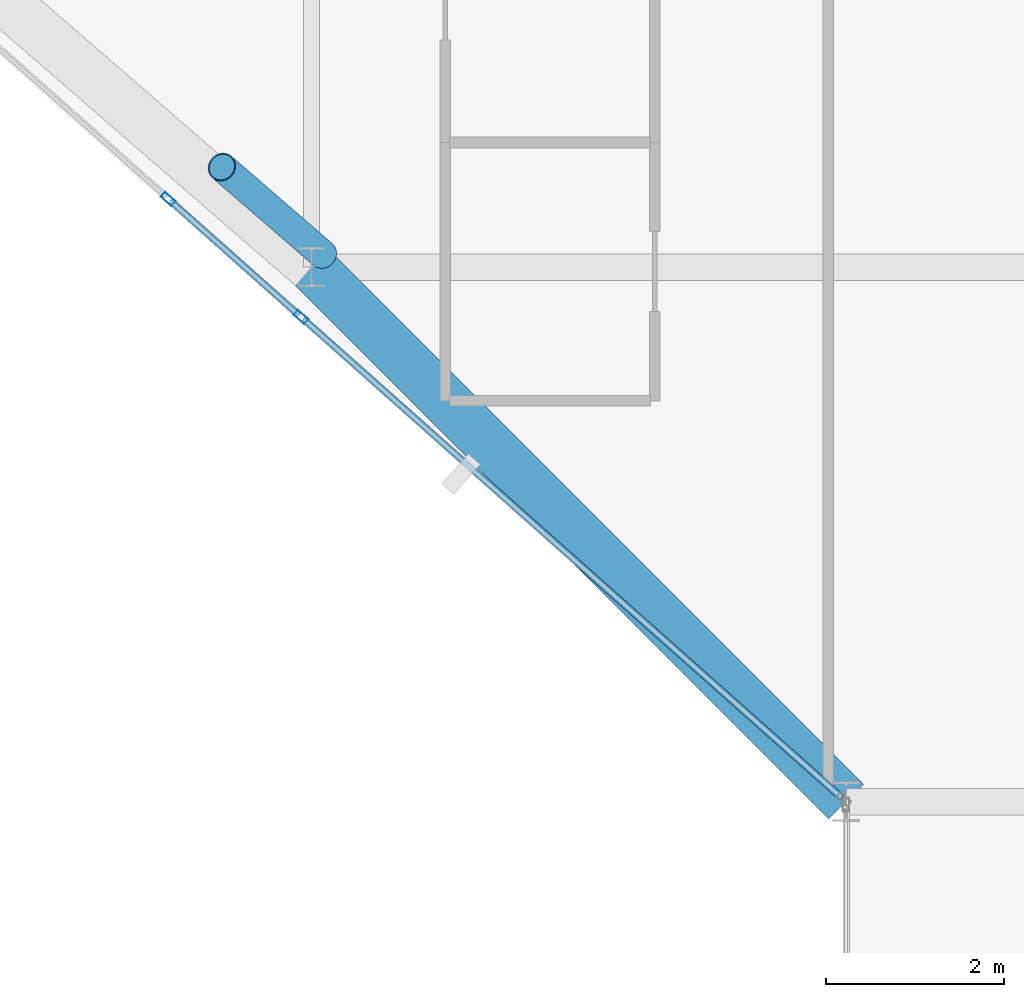
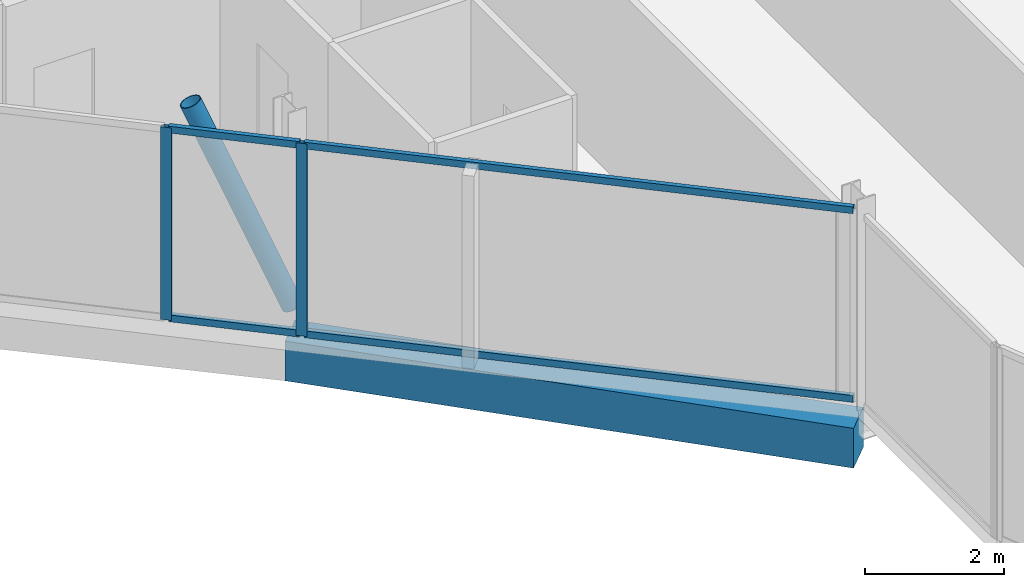
# One storey, part 4 of 29: 7 members, 1 beam, 2 elements without a shape of their own.
"""IFC4 building model written with IfcOpenShell, lengths in metres."""

import ifcopenshell
import ifcopenshell.guid

model = None  # the IFC model being written
_history = None  # IfcOwnerHistory: only IFC2X3 demands one
_inside = {}  # id of a spatial element -> (the spatial element, [elements in it])
_under = {}  # id of a project, library or spatial element -> (it, [spatial elements below it])
_declared = {}  # id of a project -> (the project, [libraries it declares])
_typed = {}  # id of a type object -> (the type object, [elements of that type])
_made_of = {}  # id of a material, layer set ... -> (it, [elements and type objects made of it])


def new_model(schema):
    """Start an empty IFC model of exactly this schema.

    Asked for "IFC4X3", IfcOpenShell would pick the latest addendum, in which some entities
    have other attributes; the version numbers below select the first issue.
    IFC2X3 requires an IfcOwnerHistory on every rooted entity: one is made here for all.
    """
    global model, _history
    if schema == "IFC4X3":
        model = ifcopenshell.file(schema_version=(4, 3, 0, 0))
    else:
        model = ifcopenshell.file(schema=schema)
    _inside.clear()
    _under.clear()
    _declared.clear()
    _typed.clear()
    _made_of.clear()
    _history = None
    if model.schema == "IFC2X3":
        org = make("IfcOrganization", Name="unknown")
        user = make(
            "IfcPersonAndOrganization",
            ThePerson=make("IfcPerson", FamilyName="unknown"),
            TheOrganization=org,
        )
        app = make(
            "IfcApplication",
            ApplicationDeveloper=org,
            Version="unknown",
            ApplicationFullName="unknown",
            ApplicationIdentifier="unknown",
        )
        _history = make(
            "IfcOwnerHistory",
            OwningUser=user,
            OwningApplication=app,
            ChangeAction="ADDED",
            CreationDate=0,
        )
    return model


def make(cls, **values):
    """One entity of the class cls with the attributes given. An attribute that is None is left unset."""
    return model.create_entity(
        cls, **{name: value for name, value in values.items() if value is not None}
    )


def rooted(cls, **values):
    """An entity with a GlobalId (a new one), such as an element, a storey or a relation."""
    return make(cls, GlobalId=ifcopenshell.guid.new(), OwnerHistory=_history, **values)


def si_unit(unit_type, name, prefix=None):
    """IfcSIUnit, for example si_unit("LENGTHUNIT", "METRE", prefix="MILLI")."""
    return make("IfcSIUnit", UnitType=unit_type, Prefix=prefix, Name=name)


def assignment(units):
    """IfcUnitAssignment: the units of a project."""
    return None if units is None else make("IfcUnitAssignment", Units=units)


def point(xyz):
    """IfcCartesianPoint."""
    return None if xyz is None else make("IfcCartesianPoint", Coordinates=xyz)


def direction(xyz):
    """IfcDirection."""
    return None if xyz is None else make("IfcDirection", DirectionRatios=xyz)


def frame(location, z_axis=None, x_axis=None):
    """IfcAxis2Placement3D, a coordinate frame: its origin and axes. An axis left out is left unset."""
    return make(
        "IfcAxis2Placement3D",
        Location=point(location),
        Axis=direction(z_axis),
        RefDirection=direction(x_axis),
    )


def frame_2d(location, x_axis=None):
    """IfcAxis2Placement2D, a coordinate frame in the plane: its origin and x axis."""
    return make(
        "IfcAxis2Placement2D", Location=point(location), RefDirection=direction(x_axis)
    )


def origin():
    """The frame at (0, 0, 0) with its axes left unset."""
    return frame((0.0, 0.0, 0.0))


def origin_2d():
    """The frame at (0, 0) in the plane with its x axis left unset."""
    return frame_2d((0.0, 0.0))


def place(relative_to, where):
    """IfcLocalPlacement: puts the frame where relative to a parent placement (None: the world)."""
    return make(
        "IfcLocalPlacement", PlacementRelTo=relative_to, RelativePlacement=where
    )


def context(
    kind, dimensions, precision=None, world=None, true_north=None, identifier=None
):
    """IfcGeometricRepresentationContext, for example the 3D "Model" context."""
    return make(
        "IfcGeometricRepresentationContext",
        ContextIdentifier=identifier,
        ContextType=kind,
        CoordinateSpaceDimension=dimensions,
        Precision=precision,
        WorldCoordinateSystem=world,
        TrueNorth=true_north,
    )


def subcontext(parent, identifier, kind, view, scale=None):
    """IfcGeometricRepresentationSubContext, for example "Body" below "Model"."""
    return make(
        "IfcGeometricRepresentationSubContext",
        ContextIdentifier=identifier,
        ContextType=kind,
        ParentContext=parent,
        TargetScale=scale,
        TargetView=view,
    )


def project(units=None, contexts=None):
    """IfcProject with its units and contexts."""
    return rooted(
        "IfcProject",
        Name="project",
        RepresentationContexts=contexts,
        UnitsInContext=assignment(units),
    )


def spatial(cls, under=None, at=None, **own):
    """A site, building, storey or space (cls), placed at a placement, below another one or the project."""
    s = rooted(cls, ObjectPlacement=at, **own)
    if under is not None:
        _under.setdefault(under.id(), (under, []))[1].append(s)
    return s


def profile(cls, at=None, kind="AREA", **sizes):
    """A parametric profile (cls). Its sizes go by their IFC names, for example OverallWidth=200.0."""
    return make(cls, ProfileType=kind, Position=at, **sizes)


def rectangle(**sizes):
    """IfcRectangleProfileDef."""
    return profile("IfcRectangleProfileDef", **sizes)


def hollow_rectangle(**sizes):
    """IfcRectangleHollowProfileDef."""
    return profile("IfcRectangleHollowProfileDef", **sizes)


def hollow_circle(**sizes):
    """IfcCircleHollowProfileDef."""
    return profile("IfcCircleHollowProfileDef", **sizes)


def extrude(swept, where, along, depth):
    """IfcExtrudedAreaSolid: the profile swept, set in the frame where, extruded along a direction by depth."""
    return make(
        "IfcExtrudedAreaSolid",
        SweptArea=swept,
        Position=where,
        ExtrudedDirection=direction(along),
        Depth=depth,
    )


def shape(context_of_items, identifier, shape_type, items):
    """IfcShapeRepresentation: the items that make up one representation, for example the "Body"."""
    return make(
        "IfcShapeRepresentation",
        ContextOfItems=context_of_items,
        RepresentationIdentifier=identifier,
        RepresentationType=shape_type,
        Items=items,
    )


def material(Name=None, Category=None):
    """IfcMaterial."""
    return make("IfcMaterial", Name=Name, Category=Category)


def layer(
    of_material, thickness, ventilated=None, Name=None, Category=None, Priority=None
):
    """IfcMaterialLayer: one layer of a wall or slab, of a material (None: an air gap)."""
    return make(
        "IfcMaterialLayer",
        Material=of_material,
        LayerThickness=thickness,
        IsVentilated=ventilated,
        Name=Name,
        Category=Category,
        Priority=Priority,
    )


def layer_set(layers, Name=None):
    """IfcMaterialLayerSet."""
    return make("IfcMaterialLayerSet", MaterialLayers=layers, LayerSetName=Name)


def material_profile(
    of_material, cross_section, Name=None, Category=None, Priority=None
):
    """IfcMaterialProfile: a cross section and its material."""
    return make(
        "IfcMaterialProfile",
        Name=Name,
        Material=of_material,
        Profile=cross_section,
        Priority=Priority,
        Category=Category,
    )


def profile_set(profiles, Name=None, composite=None):
    """IfcMaterialProfileSet."""
    return make(
        "IfcMaterialProfileSet",
        Name=Name,
        MaterialProfiles=profiles,
        CompositeProfile=composite,
    )


def made_of(thing, what):
    """Note that an element or type object is made of a material, layer set ...; save() writes the relation."""
    if what is not None:
        _made_of.setdefault(what.id(), (what, []))[1].append(thing)
    return thing


def type_object(cls, material=None, **own):
    """A type object (cls), such as IfcWallType, which elements share."""
    return made_of(rooted(cls, **own), material)


def element(
    cls,
    number,
    at=None,
    inside=None,
    cuts=None,
    type_object=None,
    material=None,
    context=None,
    identifier="Body",
    shape_type=None,
    held_by="IfcProductDefinitionShape",
    body=None,
    shapes=None,
    **own,
):
    """One element of the class cls, such as IfcWall. Its Tag is "e" and its number.

    at: its placement. inside: the storey or other place that contains it. cuts: it is an
    opening in that element (IfcRelVoidsElement). A single representation is given by context,
    identifier, shape_type and body (its items); several are given by shapes. held_by: the class
    of the entity that holds the representations. save() writes the other relations.
    """
    e = rooted(cls, Tag="e%d" % number, ObjectPlacement=at, **own)
    if body is not None:
        shapes = [shape(context, identifier, shape_type, body)]
    if shapes is not None:
        e.Representation = make(held_by, Representations=shapes)
    if inside is not None:
        _inside.setdefault(inside.id(), (inside, []))[1].append(e)
    if cuts is not None:
        rooted(
            "IfcRelVoidsElement", RelatingBuildingElement=cuts, RelatedOpeningElement=e
        )
    if type_object is not None:
        _typed.setdefault(type_object.id(), (type_object, []))[1].append(e)
    return made_of(e, material)


def aggregate(whole, parts):
    """IfcRelAggregates: a whole, such as a stair, and the parts it consists of."""
    return rooted("IfcRelAggregates", RelatingObject=whole, RelatedObjects=parts)


def save(model, path):
    """Write the relations noted so far, then the file.

    IfcRelAggregates (storeys below a building ...), IfcRelContainedInSpatialStructure (elements
    in a storey), IfcRelDefinesByType, IfcRelAssociatesMaterial and IfcRelDeclares: one each for
    every whole, place, type object, material and project.
    """
    for whole, parts in _under.values():
        aggregate(whole, parts)
    for where, things in _inside.values():
        rooted(
            "IfcRelContainedInSpatialStructure",
            RelatedElements=things,
            RelatingStructure=where,
        )
    for kind, things in _typed.values():
        rooted("IfcRelDefinesByType", RelatedObjects=things, RelatingType=kind)
    for what, things in _made_of.values():
        rooted("IfcRelAssociatesMaterial", RelatedObjects=things, RelatingMaterial=what)
    for by, libraries in _declared.values():
        rooted("IfcRelDeclares", RelatingContext=by, RelatedDefinitions=libraries)
    model.write(path)


model = new_model("IFC4")

# Units and contexts
model_context = context("Model", 3, precision=1e-05, world=origin(), true_north=direction((0.0, 1.0)))
body_context = subcontext(model_context, "Body", "Model", "MODEL_VIEW")
ifc_project = project(units=[si_unit("LENGTHUNIT", "METRE"), si_unit("AREAUNIT", "SQUARE_METRE"), si_unit("VOLUMEUNIT", "CUBIC_METRE"), si_unit("PLANEANGLEUNIT", "RADIAN"), si_unit("MASSUNIT", "GRAM", prefix="KILO")], contexts=[model_context])

# Site, building, storey
site_placement = place(None, origin())
site = spatial("IfcSite", under=ifc_project, at=site_placement, CompositionType="ELEMENT")
building_placement = place(site_placement, origin())
building = spatial("IfcBuilding", under=site, at=building_placement, Name="Keshet Zoharim Tower", CompositionType="ELEMENT")
storey_placement = place(building_placement, frame((0.0, 0.0, 210.60009765625)))
storey = spatial("IfcBuildingStorey", under=building, at=storey_placement, Name="L52", CompositionType="ELEMENT", Elevation=210.60009765625)

# Beam
ifc_material_1 = material(Name="Concrete C50/60", Category="concrete")
ifc_material_profile_1 = material_profile(ifc_material_1, rectangle(XDim=0.550048828125, YDim=0.699951171875, at=origin_2d()), Name="RC700x550")
ifc_profile_set_1 = profile_set([ifc_material_profile_1], Name="Concrete C50/60")
beam_type = type_object("IfcBeamType", Name="BM-SPN-700", PredefinedType="SPANDREL", material=ifc_profile_set_1)
beam_placement = place(storey_placement, frame((21.0, 6.699951171875, -0.66015625), z_axis=(-0.707106781187, 0.707106781187, 0.0), x_axis=(-0.707106781187, -0.707106781187, 0.0)))
element("IfcBeam", 1, at=beam_placement, inside=storey, type_object=beam_type, Name="L52 Perimeter Spandrel Beam 01", PredefinedType="SPANDREL", context=body_context, shape_type="SweptSolid", body=[
    extrude(rectangle(XDim=0.550048828125, YDim=0.699951171875, at=origin_2d()), origin(), (0.0, 0.0, 1.0), 8.4853515625),
])

# Curtain wall, member
ifc_material_2 = material(Name="Aluminium 6063-T6", Category="aluminium")
ifc_layer = layer(ifc_material_2, 0.139892578125)
ifc_layer_set = layer_set([ifc_layer], Name="Aluminium 6063-T6")
curtain_wall_type = type_object("IfcCurtainWallType", Name="CW-SYS-05", PredefinedType="NOTDEFINED", material=ifc_layer_set)
curtain_wall_1_placement = place(storey_placement, origin())
curtain_wall_1 = element("IfcCurtainWall", 2, at=curtain_wall_1_placement, inside=storey, type_object=curtain_wall_type, Name="L52 Unitised Curtain Wall 10", PredefinedType="NOTDEFINED")
ifc_material_profile_2 = material_profile(ifc_material_2, hollow_rectangle(XDim=0.074951171875, YDim=0.159912109375, WallThickness=0.00390625, at=origin_2d()), Name="MUL-75x160")
ifc_profile_set_2 = profile_set([ifc_material_profile_2], Name="Aluminium 6063-T6")
member_type_1 = type_object("IfcMemberType", Name="CWM-M15", PredefinedType="MULLION", material=ifc_profile_set_2)
member_1_placement = place(storey_placement, frame((14.88037109375, 12.1396484375, 0.0), z_axis=(0.0, 0.0, 1.0), x_axis=(-0.664367613066, -0.74740596379, 0.0)))
member_1 = element("IfcMember", 3, at=member_1_placement, type_object=member_type_1, Name="CW-05 mullion 2", PredefinedType="MULLION", context=body_context, shape_type="SweptSolid", body=[
    extrude(hollow_rectangle(XDim=0.074951171875, YDim=0.159912109375, WallThickness=0.00390625, at=origin_2d()), origin(), (0.0, 0.0, 1.0), 3.389892578125),
])

curtain_wall_2_placement = place(storey_placement, origin())
curtain_wall_2 = element("IfcCurtainWall", 4, at=curtain_wall_2_placement, inside=storey, type_object=curtain_wall_type, Name="L52 Unitised Curtain Wall 10 Part 2", PredefinedType="NOTDEFINED")
member_2_placement = place(storey_placement, frame((13.388427734375, 13.4658203125, 0.0), z_axis=(0.0, 0.0, 1.0), x_axis=(-0.664329634314, -0.747439721297, 0.0)))
member_2 = element("IfcMember", 5, at=member_2_placement, type_object=member_type_1, Name="CW-05 mullion 2", PredefinedType="MULLION", context=body_context, shape_type="SweptSolid", body=[
    extrude(hollow_rectangle(XDim=0.074951171875, YDim=0.159912109375, WallThickness=0.00390625, at=origin_2d()), origin(), (0.0, 0.0, 1.0), 3.389892578125),
])

# Member
ifc_material_profile_3 = material_profile(ifc_material_2, hollow_rectangle(XDim=0.074951171875, YDim=0.1201171875, WallThickness=0.00390625, at=origin_2d()), Name="TRN-75x120")
ifc_profile_set_3 = profile_set([ifc_material_profile_3], Name="Aluminium 6063-T6")
member_type_2 = type_object("IfcMemberType", Name="CWT-T12", PredefinedType="USERDEFINED", material=ifc_profile_set_3)
member_3_placement = place(storey_placement, frame((20.94775390625, 6.74658203125, 0.034912109375), z_axis=(-0.747404319135, 0.664369463279, 0.0), x_axis=(-0.664369463279, -0.747404319135, 0.0)))
member_3 = element("IfcMember", 6, at=member_3_placement, type_object=member_type_2, Name="CW-05 transom 1.1", ObjectType="TRANSOM", PredefinedType="USERDEFINED", context=body_context, shape_type="SweptSolid", body=[
    extrude(hollow_rectangle(XDim=0.074951171875, YDim=0.1201171875, WallThickness=0.00390625, at=origin_2d()), origin(), (0.0, 0.0, 1.0), 8.082763671875),
])

member_4_placement = place(storey_placement, frame((20.94775390625, 6.74658203125, 3.35498046875), z_axis=(-0.747404319135, 0.664369463279, 0.0), x_axis=(-0.664369463279, -0.747404319135, 0.0)))
member_4 = element("IfcMember", 7, at=member_4_placement, type_object=member_type_2, Name="CW-05 transom 1.2", ObjectType="TRANSOM", PredefinedType="USERDEFINED", context=body_context, shape_type="SweptSolid", body=[
    extrude(hollow_rectangle(XDim=0.074951171875, YDim=0.1201171875, WallThickness=0.00390625, at=origin_2d()), origin(), (0.0, 0.0, 1.0), 8.082763671875),
])

aggregate(curtain_wall_1, [member_1, member_3, member_4])

member_5_placement = place(storey_placement, frame((14.854248046875, 12.162841796875, 0.034912109375), z_axis=(-0.747458269264, 0.664308765341, 0.0), x_axis=(-0.664308765341, -0.747458269264, 0.0)))
member_5 = element("IfcMember", 8, at=member_5_placement, type_object=member_type_2, Name="CW-05 transom 1.1", ObjectType="TRANSOM", PredefinedType="USERDEFINED", context=body_context, shape_type="SweptSolid", body=[
    extrude(hollow_rectangle(XDim=0.074951171875, YDim=0.1201171875, WallThickness=0.00390625, at=origin_2d()), origin(), (0.0, 0.0, 1.0), 1.926025390625),
])

member_6_placement = place(storey_placement, frame((14.854248046875, 12.162841796875, 3.35498046875), z_axis=(-0.747458269264, 0.664308765341, 0.0), x_axis=(-0.664308765341, -0.747458269264, 0.0)))
member_6 = element("IfcMember", 9, at=member_6_placement, type_object=member_type_2, Name="CW-05 transom 1.2", ObjectType="TRANSOM", PredefinedType="USERDEFINED", context=body_context, shape_type="SweptSolid", body=[
    extrude(hollow_rectangle(XDim=0.074951171875, YDim=0.1201171875, WallThickness=0.00390625, at=origin_2d()), origin(), (0.0, 0.0, 1.0), 1.926025390625),
])

aggregate(curtain_wall_2, [member_2, member_5, member_6])

ifc_material_3 = material(Name="Steel S355", Category="steel")
ifc_material_profile_4 = material_profile(ifc_material_3, hollow_circle(Radius=0.161865234375, WallThickness=0.012451171875, at=origin_2d()), Name="CHS323x12.5")
ifc_profile_set_4 = profile_set([ifc_material_profile_4], Name="Steel S355")
member_type_3 = type_object("IfcMemberType", Name="MB-BR-C323", PredefinedType="BRACE", material=ifc_profile_set_4)
member_7_placement = place(storey_placement, frame((15.1259765625, 12.842041015625, 0.0), z_axis=(-0.305919508672, 0.264888754334, 0.914465528077), x_axis=(-0.654589683411, -0.755984355904, 0.0)))
element("IfcMember", 10, at=member_7_placement, inside=storey, type_object=member_type_3, Name="L52 Perimeter Tube Brace 01", PredefinedType="BRACE", context=body_context, shape_type="SweptSolid", body=[
    extrude(hollow_circle(Radius=0.161865234375, WallThickness=0.012451171875, at=origin_2d()), origin(), (0.0, 0.0, 1.0), 3.70703125),
])

save(model, "model.ifc")
